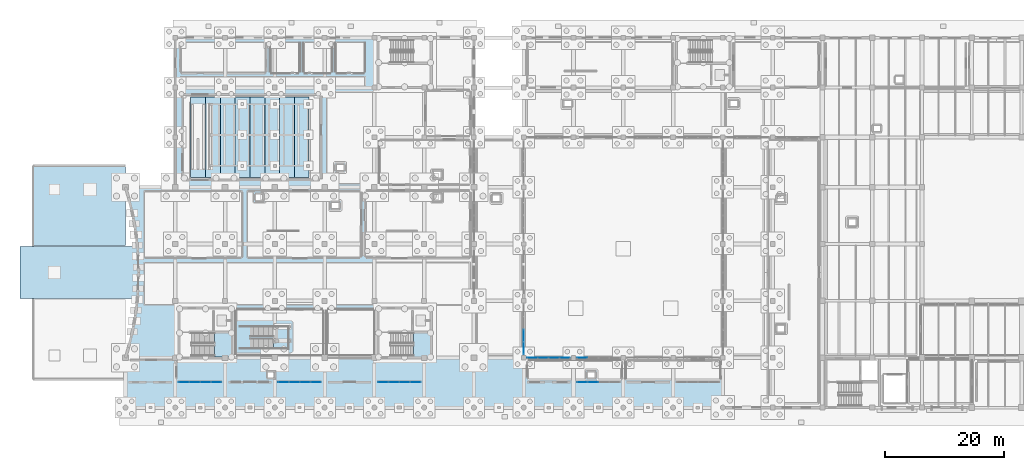
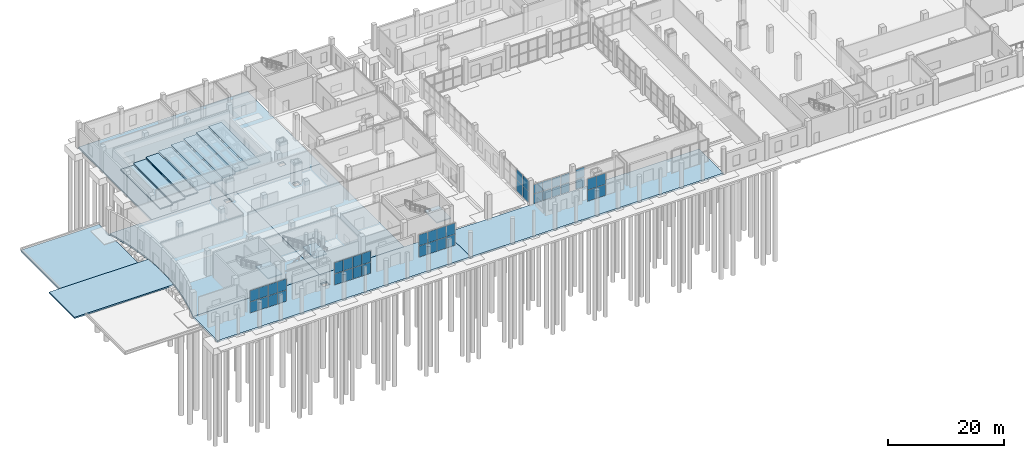
# One storey, part 30 of 65: 42 plates, 18 slabs, 10 elements without a shape of their own.
"""IFC4 building model written with IfcOpenShell, lengths in metres."""

from ifc_helpers import new_model, si_unit, direction, frame, origin, origin_2d, place, context, subcontext, project, spatial, polyline, rectangle, outline, extrude, material, layer, layer_set, type_object, element, aggregate, save


model = new_model("IFC4")

# Units and contexts
model_context = context("Model", 3, precision=1e-05, world=origin(), true_north=direction((0.0, 1.0)))
body_context = subcontext(model_context, "Body", "Model", "MODEL_VIEW")
ifc_project = project(units=[si_unit("LENGTHUNIT", "METRE"), si_unit("AREAUNIT", "SQUARE_METRE"), si_unit("VOLUMEUNIT", "CUBIC_METRE"), si_unit("PLANEANGLEUNIT", "RADIAN"), si_unit("MASSUNIT", "GRAM", prefix="KILO")], contexts=[model_context])

# Site, building, storey
site_placement = place(None, origin())
site = spatial("IfcSite", under=ifc_project, at=site_placement, CompositionType="ELEMENT")
building_placement = place(site_placement, origin())
building = spatial("IfcBuilding", under=site, at=building_placement, Name="Zulmaris Art Gallery", CompositionType="ELEMENT")
storey_placement = place(building_placement, origin())
storey = spatial("IfcBuildingStorey", under=building, at=storey_placement, Name="L00", CompositionType="ELEMENT", Elevation=0.0)

# Curtain wall, plates
ifc_material_1 = material(Name="Cloister & Court Glazed Curtain Wall", Category="aluminium")
ifc_layer_1 = layer(ifc_material_1, 0.179931640625)
ifc_layer_set_1 = layer_set([ifc_layer_1], Name="Cloister & Court Glazed Curtain Wall")
curtain_wall_type = type_object("IfcCurtainWallType", Name="CW-CW03", PredefinedType="NOTDEFINED", material=ifc_layer_set_1)
curtain_wall_1_placement = place(storey_placement, origin())
curtain_wall_1 = element("IfcCurtainWall", 1, at=curtain_wall_1_placement, inside=storey, type_object=curtain_wall_type, Name="L00 curtain wall 52", PredefinedType="NOTDEFINED")
ifc_material_2 = material(Name="Triple Solar-Control Laminated Glass", Category="glass")
ifc_layer_2 = layer(ifc_material_2, 0.035888671875)
ifc_layer_set_2 = layer_set([ifc_layer_2], Name="Triple Solar-Control Laminated Glass")
plate_type = type_object("IfcPlateType", Name="CWPAN-GLZ", PredefinedType="CURTAIN_PANEL", material=ifc_layer_set_2)
plate_1_placement = place(storey_placement, frame((33.873779296875, 17.5, 0.074951171875), z_axis=(0.0, 0.0, 1.0), x_axis=(1.0, 0.0, 0.0)))
plate_1 = element("IfcPlate", 2, at=plate_1_placement, type_object=plate_type, Name="CW03 panel 1.1", PredefinedType="CURTAIN_PANEL", context=body_context, shape_type="SweptSolid", body=[
    extrude(rectangle(XDim=1.717529296875, YDim=0.031982421875, at=origin_2d()), origin(), (0.0, 0.0, 1.0), 2.3125),
])
plate_2_placement = place(storey_placement, frame((33.873779296875, 17.5, 2.46240234375), z_axis=(0.0, 0.0, 1.0), x_axis=(1.0, 0.0, 0.0)))
plate_2 = element("IfcPlate", 3, at=plate_2_placement, type_object=plate_type, Name="CW03 panel 1.2", PredefinedType="CURTAIN_PANEL", context=body_context, shape_type="SweptSolid", body=[
    extrude(rectangle(XDim=1.717529296875, YDim=0.031982421875, at=origin_2d()), origin(), (0.0, 0.0, 1.0), 2.3125),
])
plate_3_placement = place(storey_placement, frame((35.68505859375, 17.5, 0.074951171875), z_axis=(0.0, 0.0, 1.0), x_axis=(1.0, 0.0, 0.0)))
plate_3 = element("IfcPlate", 4, at=plate_3_placement, type_object=plate_type, Name="CW03 panel 2.1", PredefinedType="CURTAIN_PANEL", context=body_context, shape_type="SweptSolid", body=[
    extrude(rectangle(XDim=1.7548828125, YDim=0.031982421875, at=origin_2d()), origin(), (0.0, 0.0, 1.0), 2.3125),
])
plate_4_placement = place(storey_placement, frame((35.68505859375, 17.5, 2.46240234375), z_axis=(0.0, 0.0, 1.0), x_axis=(1.0, 0.0, 0.0)))
plate_4 = element("IfcPlate", 5, at=plate_4_placement, type_object=plate_type, Name="CW03 panel 2.2", PredefinedType="CURTAIN_PANEL", context=body_context, shape_type="SweptSolid", body=[
    extrude(rectangle(XDim=1.7548828125, YDim=0.031982421875, at=origin_2d()), origin(), (0.0, 0.0, 1.0), 2.3125),
])
plate_5_placement = place(storey_placement, frame((37.514892578125, 17.5, 0.074951171875), z_axis=(0.0, 0.0, 1.0), x_axis=(1.0, 0.0, 0.0)))
plate_5 = element("IfcPlate", 6, at=plate_5_placement, type_object=plate_type, Name="CW03 panel 3.1", PredefinedType="CURTAIN_PANEL", context=body_context, shape_type="SweptSolid", body=[
    extrude(rectangle(XDim=1.7548828125, YDim=0.031982421875, at=origin_2d()), origin(), (0.0, 0.0, 1.0), 2.3125),
])
plate_6_placement = place(storey_placement, frame((37.514892578125, 17.5, 2.46240234375), z_axis=(0.0, 0.0, 1.0), x_axis=(1.0, 0.0, 0.0)))
plate_6 = element("IfcPlate", 7, at=plate_6_placement, type_object=plate_type, Name="CW03 panel 3.2", PredefinedType="CURTAIN_PANEL", context=body_context, shape_type="SweptSolid", body=[
    extrude(rectangle(XDim=1.7548828125, YDim=0.031982421875, at=origin_2d()), origin(), (0.0, 0.0, 1.0), 2.3125),
])
plate_7_placement = place(storey_placement, frame((39.326171875, 17.5, 0.074951171875), z_axis=(0.0, 0.0, 1.0), x_axis=(1.0, 0.0, 0.0)))
plate_7 = element("IfcPlate", 8, at=plate_7_placement, type_object=plate_type, Name="CW03 panel 4.1", PredefinedType="CURTAIN_PANEL", context=body_context, shape_type="SweptSolid", body=[
    extrude(rectangle(XDim=1.717529296875, YDim=0.031982421875, at=origin_2d()), origin(), (0.0, 0.0, 1.0), 2.3125),
])
plate_8_placement = place(storey_placement, frame((39.326171875, 17.5, 2.46240234375), z_axis=(0.0, 0.0, 1.0), x_axis=(1.0, 0.0, 0.0)))
plate_8 = element("IfcPlate", 9, at=plate_8_placement, type_object=plate_type, Name="CW03 panel 4.2", PredefinedType="CURTAIN_PANEL", context=body_context, shape_type="SweptSolid", body=[
    extrude(rectangle(XDim=1.717529296875, YDim=0.031982421875, at=origin_2d()), origin(), (0.0, 0.0, 1.0), 2.3125),
])
aggregate(curtain_wall_1, [plate_1, plate_2, plate_3, plate_4, plate_5, plate_6, plate_7, plate_8])

curtain_wall_2_placement = place(storey_placement, origin())
curtain_wall_2 = element("IfcCurtainWall", 10, at=curtain_wall_2_placement, inside=storey, type_object=curtain_wall_type, Name="L00 curtain wall 53", PredefinedType="NOTDEFINED")
plate_9_placement = place(storey_placement, frame((50.673828125, 17.5, 0.074951171875), z_axis=(0.0, 0.0, 1.0), x_axis=(1.0, 0.0, 0.0)))
plate_9 = element("IfcPlate", 11, at=plate_9_placement, type_object=plate_type, Name="CW03 panel 1.1", PredefinedType="CURTAIN_PANEL", context=body_context, shape_type="SweptSolid", body=[
    extrude(rectangle(XDim=1.717529296875, YDim=0.031982421875, at=origin_2d()), origin(), (0.0, 0.0, 1.0), 2.3125),
])
plate_10_placement = place(storey_placement, frame((50.673828125, 17.5, 2.46240234375), z_axis=(0.0, 0.0, 1.0), x_axis=(1.0, 0.0, 0.0)))
plate_10 = element("IfcPlate", 12, at=plate_10_placement, type_object=plate_type, Name="CW03 panel 1.2", PredefinedType="CURTAIN_PANEL", context=body_context, shape_type="SweptSolid", body=[
    extrude(rectangle(XDim=1.717529296875, YDim=0.031982421875, at=origin_2d()), origin(), (0.0, 0.0, 1.0), 2.3125),
])
plate_11_placement = place(storey_placement, frame((52.485107421875, 17.5, 0.074951171875), z_axis=(0.0, 0.0, 1.0), x_axis=(1.0, 0.0, 0.0)))
plate_11 = element("IfcPlate", 13, at=plate_11_placement, type_object=plate_type, Name="CW03 panel 2.1", PredefinedType="CURTAIN_PANEL", context=body_context, shape_type="SweptSolid", body=[
    extrude(rectangle(XDim=1.7548828125, YDim=0.031982421875, at=origin_2d()), origin(), (0.0, 0.0, 1.0), 2.3125),
])
plate_12_placement = place(storey_placement, frame((52.485107421875, 17.5, 2.46240234375), z_axis=(0.0, 0.0, 1.0), x_axis=(1.0, 0.0, 0.0)))
plate_12 = element("IfcPlate", 14, at=plate_12_placement, type_object=plate_type, Name="CW03 panel 2.2", PredefinedType="CURTAIN_PANEL", context=body_context, shape_type="SweptSolid", body=[
    extrude(rectangle(XDim=1.7548828125, YDim=0.031982421875, at=origin_2d()), origin(), (0.0, 0.0, 1.0), 2.3125),
])
plate_13_placement = place(storey_placement, frame((54.31494140625, 17.5, 0.074951171875), z_axis=(0.0, 0.0, 1.0), x_axis=(1.0, 0.0, 0.0)))
plate_13 = element("IfcPlate", 15, at=plate_13_placement, type_object=plate_type, Name="CW03 panel 3.1", PredefinedType="CURTAIN_PANEL", context=body_context, shape_type="SweptSolid", body=[
    extrude(rectangle(XDim=1.7548828125, YDim=0.031982421875, at=origin_2d()), origin(), (0.0, 0.0, 1.0), 2.3125),
])
plate_14_placement = place(storey_placement, frame((54.31494140625, 17.5, 2.46240234375), z_axis=(0.0, 0.0, 1.0), x_axis=(1.0, 0.0, 0.0)))
plate_14 = element("IfcPlate", 16, at=plate_14_placement, type_object=plate_type, Name="CW03 panel 3.2", PredefinedType="CURTAIN_PANEL", context=body_context, shape_type="SweptSolid", body=[
    extrude(rectangle(XDim=1.7548828125, YDim=0.031982421875, at=origin_2d()), origin(), (0.0, 0.0, 1.0), 2.3125),
])
plate_15_placement = place(storey_placement, frame((56.126220703125, 17.5, 0.074951171875), z_axis=(0.0, 0.0, 1.0), x_axis=(1.0, 0.0, 0.0)))
plate_15 = element("IfcPlate", 17, at=plate_15_placement, type_object=plate_type, Name="CW03 panel 4.1", PredefinedType="CURTAIN_PANEL", context=body_context, shape_type="SweptSolid", body=[
    extrude(rectangle(XDim=1.717529296875, YDim=0.031982421875, at=origin_2d()), origin(), (0.0, 0.0, 1.0), 2.3125),
])
plate_16_placement = place(storey_placement, frame((56.126220703125, 17.5, 2.46240234375), z_axis=(0.0, 0.0, 1.0), x_axis=(1.0, 0.0, 0.0)))
plate_16 = element("IfcPlate", 18, at=plate_16_placement, type_object=plate_type, Name="CW03 panel 4.2", PredefinedType="CURTAIN_PANEL", context=body_context, shape_type="SweptSolid", body=[
    extrude(rectangle(XDim=1.717529296875, YDim=0.031982421875, at=origin_2d()), origin(), (0.0, 0.0, 1.0), 2.3125),
])
aggregate(curtain_wall_2, [plate_9, plate_10, plate_11, plate_12, plate_13, plate_14, plate_15, plate_16])

curtain_wall_3_placement = place(storey_placement, origin())
curtain_wall_3 = element("IfcCurtainWall", 19, at=curtain_wall_3_placement, inside=storey, type_object=curtain_wall_type, Name="L00 curtain wall 54", PredefinedType="NOTDEFINED")
plate_17_placement = place(storey_placement, frame((67.4736328125, 17.5, 0.074951171875), z_axis=(0.0, 0.0, 1.0), x_axis=(1.0, 0.0, 0.0)))
plate_17 = element("IfcPlate", 20, at=plate_17_placement, type_object=plate_type, Name="CW03 panel 1.1", PredefinedType="CURTAIN_PANEL", context=body_context, shape_type="SweptSolid", body=[
    extrude(rectangle(XDim=1.717529296875, YDim=0.031982421875, at=origin_2d()), origin(), (0.0, 0.0, 1.0), 2.3125),
])
plate_18_placement = place(storey_placement, frame((67.4736328125, 17.5, 2.46240234375), z_axis=(0.0, 0.0, 1.0), x_axis=(1.0, 0.0, 0.0)))
plate_18 = element("IfcPlate", 21, at=plate_18_placement, type_object=plate_type, Name="CW03 panel 1.2", PredefinedType="CURTAIN_PANEL", context=body_context, shape_type="SweptSolid", body=[
    extrude(rectangle(XDim=1.717529296875, YDim=0.031982421875, at=origin_2d()), origin(), (0.0, 0.0, 1.0), 2.3125),
])
plate_19_placement = place(storey_placement, frame((69.284912109375, 17.5, 0.074951171875), z_axis=(0.0, 0.0, 1.0), x_axis=(1.0, 0.0, 0.0)))
plate_19 = element("IfcPlate", 22, at=plate_19_placement, type_object=plate_type, Name="CW03 panel 2.1", PredefinedType="CURTAIN_PANEL", context=body_context, shape_type="SweptSolid", body=[
    extrude(rectangle(XDim=1.7548828125, YDim=0.031982421875, at=origin_2d()), origin(), (0.0, 0.0, 1.0), 2.3125),
])
plate_20_placement = place(storey_placement, frame((69.284912109375, 17.5, 2.46240234375), z_axis=(0.0, 0.0, 1.0), x_axis=(1.0, 0.0, 0.0)))
plate_20 = element("IfcPlate", 23, at=plate_20_placement, type_object=plate_type, Name="CW03 panel 2.2", PredefinedType="CURTAIN_PANEL", context=body_context, shape_type="SweptSolid", body=[
    extrude(rectangle(XDim=1.7548828125, YDim=0.031982421875, at=origin_2d()), origin(), (0.0, 0.0, 1.0), 2.3125),
])
plate_21_placement = place(storey_placement, frame((71.114990234375, 17.5, 0.074951171875), z_axis=(0.0, 0.0, 1.0), x_axis=(1.0, 0.0, 0.0)))
plate_21 = element("IfcPlate", 24, at=plate_21_placement, type_object=plate_type, Name="CW03 panel 3.1", PredefinedType="CURTAIN_PANEL", context=body_context, shape_type="SweptSolid", body=[
    extrude(rectangle(XDim=1.7548828125, YDim=0.031982421875, at=origin_2d()), origin(), (0.0, 0.0, 1.0), 2.3125),
])
plate_22_placement = place(storey_placement, frame((71.114990234375, 17.5, 2.46240234375), z_axis=(0.0, 0.0, 1.0), x_axis=(1.0, 0.0, 0.0)))
plate_22 = element("IfcPlate", 25, at=plate_22_placement, type_object=plate_type, Name="CW03 panel 3.2", PredefinedType="CURTAIN_PANEL", context=body_context, shape_type="SweptSolid", body=[
    extrude(rectangle(XDim=1.7548828125, YDim=0.031982421875, at=origin_2d()), origin(), (0.0, 0.0, 1.0), 2.3125),
])
plate_23_placement = place(storey_placement, frame((72.92626953125, 17.5, 0.074951171875), z_axis=(0.0, 0.0, 1.0), x_axis=(1.0, 0.0, 0.0)))
plate_23 = element("IfcPlate", 26, at=plate_23_placement, type_object=plate_type, Name="CW03 panel 4.1", PredefinedType="CURTAIN_PANEL", context=body_context, shape_type="SweptSolid", body=[
    extrude(rectangle(XDim=1.717529296875, YDim=0.031982421875, at=origin_2d()), origin(), (0.0, 0.0, 1.0), 2.3125),
])
plate_24_placement = place(storey_placement, frame((72.92626953125, 17.5, 2.46240234375), z_axis=(0.0, 0.0, 1.0), x_axis=(1.0, 0.0, 0.0)))
plate_24 = element("IfcPlate", 27, at=plate_24_placement, type_object=plate_type, Name="CW03 panel 4.2", PredefinedType="CURTAIN_PANEL", context=body_context, shape_type="SweptSolid", body=[
    extrude(rectangle(XDim=1.717529296875, YDim=0.031982421875, at=origin_2d()), origin(), (0.0, 0.0, 1.0), 2.3125),
])
aggregate(curtain_wall_3, [plate_17, plate_18, plate_19, plate_20, plate_21, plate_22, plate_23, plate_24])

curtain_wall_4_placement = place(storey_placement, origin())
curtain_wall_4 = element("IfcCurtainWall", 28, at=curtain_wall_4_placement, inside=storey, type_object=curtain_wall_type, Name="L00 curtain wall 55", PredefinedType="NOTDEFINED")
plate_25_placement = place(storey_placement, frame((101.07373046875, 17.5, 0.074951171875), z_axis=(0.0, 0.0, 1.0), x_axis=(1.0, 0.0, 0.0)))
plate_25 = element("IfcPlate", 29, at=plate_25_placement, type_object=plate_type, Name="CW03 panel 1.1", PredefinedType="CURTAIN_PANEL", context=body_context, shape_type="SweptSolid", body=[
    extrude(rectangle(XDim=1.717529296875, YDim=0.031982421875, at=origin_2d()), origin(), (0.0, 0.0, 1.0), 2.3125),
])
plate_26_placement = place(storey_placement, frame((101.07373046875, 17.5, 2.46240234375), z_axis=(0.0, 0.0, 1.0), x_axis=(1.0, 0.0, 0.0)))
plate_26 = element("IfcPlate", 30, at=plate_26_placement, type_object=plate_type, Name="CW03 panel 1.2", PredefinedType="CURTAIN_PANEL", context=body_context, shape_type="SweptSolid", body=[
    extrude(rectangle(XDim=1.717529296875, YDim=0.031982421875, at=origin_2d()), origin(), (0.0, 0.0, 1.0), 2.3125),
])
plate_27_placement = place(storey_placement, frame((102.885009765625, 17.5, 0.074951171875), z_axis=(0.0, 0.0, 1.0), x_axis=(1.0, 0.0, 0.0)))
plate_27 = element("IfcPlate", 31, at=plate_27_placement, type_object=plate_type, Name="CW03 panel 2.1", PredefinedType="CURTAIN_PANEL", context=body_context, shape_type="SweptSolid", body=[
    extrude(rectangle(XDim=1.7548828125, YDim=0.031982421875, at=origin_2d()), origin(), (0.0, 0.0, 1.0), 2.3125),
])
plate_28_placement = place(storey_placement, frame((102.885009765625, 17.5, 2.46240234375), z_axis=(0.0, 0.0, 1.0), x_axis=(1.0, 0.0, 0.0)))
plate_28 = element("IfcPlate", 32, at=plate_28_placement, type_object=plate_type, Name="CW03 panel 2.2", PredefinedType="CURTAIN_PANEL", context=body_context, shape_type="SweptSolid", body=[
    extrude(rectangle(XDim=1.7548828125, YDim=0.031982421875, at=origin_2d()), origin(), (0.0, 0.0, 1.0), 2.3125),
])
aggregate(curtain_wall_4, [plate_25, plate_26, plate_27, plate_28])

curtain_wall_5_placement = place(storey_placement, origin())
curtain_wall_5 = element("IfcCurtainWall", 33, at=curtain_wall_5_placement, inside=storey, type_object=curtain_wall_type, Name="L00 curtain wall 66", PredefinedType="NOTDEFINED")
plate_29_placement = place(storey_placement, frame((91.199951171875, 25.3349609375, 0.0751953125), z_axis=(0.0, 0.0, 1.0), x_axis=(0.0, -1.0, 0.0)))
plate_29 = element("IfcPlate", 34, at=plate_29_placement, type_object=plate_type, Name="CW03 panel 3.1", PredefinedType="CURTAIN_PANEL", context=body_context, shape_type="SweptSolid", body=[
    extrude(rectangle(XDim=2.054931640625, YDim=0.031982421875, at=origin_2d()), origin(), (0.0, 0.0, 1.0), 2.242431640625),
])
plate_30_placement = place(storey_placement, frame((91.199951171875, 25.3349609375, 2.392578125), z_axis=(0.0, 0.0, 1.0), x_axis=(0.0, -1.0, 0.0)))
plate_30 = element("IfcPlate", 35, at=plate_30_placement, type_object=plate_type, Name="CW03 panel 3.2", PredefinedType="CURTAIN_PANEL", context=body_context, shape_type="SweptSolid", body=[
    extrude(rectangle(XDim=2.054931640625, YDim=0.031982421875, at=origin_2d()), origin(), (0.0, 0.0, 1.0), 2.242431640625),
])
plate_31_placement = place(storey_placement, frame((91.199951171875, 23.2236328125, 0.0751953125), z_axis=(0.0, 0.0, 1.0), x_axis=(0.0, -1.0, 0.0)))
plate_31 = element("IfcPlate", 36, at=plate_31_placement, type_object=plate_type, Name="CW03 panel 4.1", PredefinedType="CURTAIN_PANEL", context=body_context, shape_type="SweptSolid", body=[
    extrude(rectangle(XDim=2.017578125, YDim=0.031982421875, at=origin_2d()), origin(), (0.0, 0.0, 1.0), 2.242431640625),
])
plate_32_placement = place(storey_placement, frame((91.199951171875, 23.2236328125, 2.392578125), z_axis=(0.0, 0.0, 1.0), x_axis=(0.0, -1.0, 0.0)))
plate_32 = element("IfcPlate", 37, at=plate_32_placement, type_object=plate_type, Name="CW03 panel 4.2", PredefinedType="CURTAIN_PANEL", context=body_context, shape_type="SweptSolid", body=[
    extrude(rectangle(XDim=2.017578125, YDim=0.031982421875, at=origin_2d()), origin(), (0.0, 0.0, 1.0), 2.242431640625),
])
aggregate(curtain_wall_5, [plate_29, plate_30, plate_31, plate_32])

curtain_wall_6_placement = place(storey_placement, origin())
curtain_wall_6 = element("IfcCurtainWall", 38, at=curtain_wall_6_placement, inside=storey, type_object=curtain_wall_type, Name="L00 curtain wall 185", PredefinedType="NOTDEFINED")
plate_33_placement = place(storey_placement, frame((92.673828125, 21.60009765625, 0.074951171875), z_axis=(0.0, 0.0, 1.0), x_axis=(1.0, 0.0, 0.0)))
plate_33 = element("IfcPlate", 39, at=plate_33_placement, type_object=plate_type, Name="CW03 panel 1.1", PredefinedType="CURTAIN_PANEL", context=body_context, shape_type="SweptSolid", body=[
    extrude(rectangle(XDim=1.717529296875, YDim=0.031982421875, at=origin_2d()), origin(), (0.0, 0.0, 1.0), 1.9326171875),
])
plate_34_placement = place(storey_placement, frame((92.673828125, 21.60009765625, 2.08251953125), z_axis=(0.0, 0.0, 1.0), x_axis=(1.0, 0.0, 0.0)))
plate_34 = element("IfcPlate", 40, at=plate_34_placement, type_object=plate_type, Name="CW03 panel 1.2", PredefinedType="CURTAIN_PANEL", context=body_context, shape_type="SweptSolid", body=[
    extrude(rectangle(XDim=1.717529296875, YDim=0.031982421875, at=origin_2d()), origin(), (0.0, 0.0, 1.0), 1.9326171875),
])
plate_35_placement = place(storey_placement, frame((94.485107421875, 21.60009765625, 0.074951171875), z_axis=(0.0, 0.0, 1.0), x_axis=(1.0, 0.0, 0.0)))
plate_35 = element("IfcPlate", 41, at=plate_35_placement, type_object=plate_type, Name="CW03 panel 2.1", PredefinedType="CURTAIN_PANEL", context=body_context, shape_type="SweptSolid", body=[
    extrude(rectangle(XDim=1.7548828125, YDim=0.031982421875, at=origin_2d()), origin(), (0.0, 0.0, 1.0), 1.9326171875),
])
plate_36_placement = place(storey_placement, frame((94.485107421875, 21.60009765625, 2.08251953125), z_axis=(0.0, 0.0, 1.0), x_axis=(1.0, 0.0, 0.0)))
plate_36 = element("IfcPlate", 42, at=plate_36_placement, type_object=plate_type, Name="CW03 panel 2.2", PredefinedType="CURTAIN_PANEL", context=body_context, shape_type="SweptSolid", body=[
    extrude(rectangle(XDim=1.7548828125, YDim=0.031982421875, at=origin_2d()), origin(), (0.0, 0.0, 1.0), 1.9326171875),
])
plate_37_placement = place(storey_placement, frame((96.31494140625, 21.60009765625, 0.074951171875), z_axis=(0.0, 0.0, 1.0), x_axis=(1.0, 0.0, 0.0)))
plate_37 = element("IfcPlate", 43, at=plate_37_placement, type_object=plate_type, Name="CW03 panel 3.1", PredefinedType="CURTAIN_PANEL", context=body_context, shape_type="SweptSolid", body=[
    extrude(rectangle(XDim=1.7548828125, YDim=0.031982421875, at=origin_2d()), origin(), (0.0, 0.0, 1.0), 1.9326171875),
])
plate_38_placement = place(storey_placement, frame((96.31494140625, 21.60009765625, 2.08251953125), z_axis=(0.0, 0.0, 1.0), x_axis=(1.0, 0.0, 0.0)))
plate_38 = element("IfcPlate", 44, at=plate_38_placement, type_object=plate_type, Name="CW03 panel 3.2", PredefinedType="CURTAIN_PANEL", context=body_context, shape_type="SweptSolid", body=[
    extrude(rectangle(XDim=1.7548828125, YDim=0.031982421875, at=origin_2d()), origin(), (0.0, 0.0, 1.0), 1.9326171875),
])
plate_39_placement = place(storey_placement, frame((98.126220703125, 21.60009765625, 0.074951171875), z_axis=(0.0, 0.0, 1.0), x_axis=(1.0, 0.0, 0.0)))
plate_39 = element("IfcPlate", 45, at=plate_39_placement, type_object=plate_type, Name="CW03 panel 4.1", PredefinedType="CURTAIN_PANEL", context=body_context, shape_type="SweptSolid", body=[
    extrude(rectangle(XDim=1.717529296875, YDim=0.031982421875, at=origin_2d()), origin(), (0.0, 0.0, 1.0), 1.9326171875),
])
plate_40_placement = place(storey_placement, frame((98.126220703125, 21.60009765625, 2.08251953125), z_axis=(0.0, 0.0, 1.0), x_axis=(1.0, 0.0, 0.0)))
plate_40 = element("IfcPlate", 46, at=plate_40_placement, type_object=plate_type, Name="CW03 panel 4.2", PredefinedType="CURTAIN_PANEL", context=body_context, shape_type="SweptSolid", body=[
    extrude(rectangle(XDim=1.717529296875, YDim=0.031982421875, at=origin_2d()), origin(), (0.0, 0.0, 1.0), 1.9326171875),
])
aggregate(curtain_wall_6, [plate_33, plate_34, plate_35, plate_36, plate_37, plate_38, plate_39, plate_40])

curtain_wall_7_placement = place(storey_placement, origin())
curtain_wall_7 = element("IfcCurtainWall", 47, at=curtain_wall_7_placement, inside=storey, type_object=curtain_wall_type, Name="L00 curtain wall 186", PredefinedType="NOTDEFINED")
plate_41_placement = place(storey_placement, frame((101.07373046875, 21.60009765625, 0.0751953125), z_axis=(0.0, 0.0, 1.0), x_axis=(1.0, 0.0, 0.0)))
plate_41 = element("IfcPlate", 48, at=plate_41_placement, type_object=plate_type, Name="CW03 panel 1.1", PredefinedType="CURTAIN_PANEL", context=body_context, shape_type="SweptSolid", body=[
    extrude(rectangle(XDim=1.717529296875, YDim=0.031982421875, at=origin_2d()), origin(), (0.0, 0.0, 1.0), 2.032470703125),
])
plate_42_placement = place(storey_placement, frame((101.07373046875, 21.60009765625, 2.1826171875), z_axis=(0.0, 0.0, 1.0), x_axis=(1.0, 0.0, 0.0)))
plate_42 = element("IfcPlate", 49, at=plate_42_placement, type_object=plate_type, Name="CW03 panel 1.2", PredefinedType="CURTAIN_PANEL", context=body_context, shape_type="SweptSolid", body=[
    extrude(rectangle(XDim=1.717529296875, YDim=0.031982421875, at=origin_2d()), origin(), (0.0, 0.0, 1.0), 2.032470703125),
])
aggregate(curtain_wall_7, [plate_41, plate_42])

# Slabs
ifc_material_3 = material(Name="Concrete C40/50", Category="concrete")
ifc_layer_3 = layer(ifc_material_3, 0.360107421875)
ifc_layer_set_3 = layer_set([ifc_layer_3], Name="Concrete C40/50")
slab_type_1 = type_object("IfcSlabType", Name="SLAB-SL-BS02", PredefinedType="BASESLAB", material=ifc_layer_set_3)
slab_1_placement = place(storey_placement, frame((0.0, 0.0, -0.360107421875)))
element("IfcSlab", 50, at=slab_1_placement, inside=storey, type_object=slab_type_1, Name="L00 V1-W slab", PredefinedType="BASESLAB", context=body_context, shape_type="SweptSolid", body=[
    extrude(outline(polyline([(24.51513671875, 23.35400390625), (24.963134765625, 25.126220703125), (25.34326171875, 26.914306640625), (25.655029296875, 28.715576171875), (25.89794921875, 30.527587890625), (26.07177734375, 32.34716796875), (26.176025390625, 34.17236328125), (26.2109375, 36.0), (26.176025390625, 37.82763671875), (26.07177734375, 39.65283203125), (25.89794921875, 41.472412109375), (25.655029296875, 43.284423828125), (25.34326171875, 45.085693359375), (24.963134765625, 46.873779296875), (24.51513671875, 48.64599609375), (24.0, 50.39990234375), (49.199951171875, 50.39990234375), (49.199951171875, 21.60009765625), (24.0, 21.60009765625), (24.51513671875, 23.35400390625)]), holes=[polyline([(47.199951171875, 49.199951171875), (46.0, 49.199951171875), (46.0, 48.199951171875), (47.199951171875, 48.199951171875), (47.199951171875, 49.199951171875)])]), origin(), (0.0, 0.0, 1.0), 0.360107421875),
])
slab_2_placement = place(storey_placement, frame((0.0, 0.0, -0.360107421875)))
element("IfcSlab", 51, at=slab_2_placement, inside=storey, type_object=slab_type_1, Name="L00 V1-M slab", PredefinedType="BASESLAB", context=body_context, shape_type="SweptSolid", body=[
    extrude(outline(polyline([(49.199951171875, 21.60009765625), (49.199951171875, 50.39990234375), (66.0, 50.39990234375), (66.0, 21.60009765625), (49.199951171875, 21.60009765625)]), holes=[polyline([(60.0, 47.800048828125), (58.800048828125, 47.800048828125), (58.800048828125, 46.800048828125), (60.0, 46.800048828125), (60.0, 47.800048828125)])]), origin(), (0.0, 0.0, 1.0), 0.360107421875),
])
slab_3_placement = place(storey_placement, frame((0.0, 0.0, -0.360107421875)))
element("IfcSlab", 52, at=slab_3_placement, inside=storey, type_object=slab_type_1, Name="L00 V2-W slab", PredefinedType="BASESLAB", context=body_context, shape_type="SweptSolid", body=[
    extrude(outline(polyline([(24.0, 13.199951171875), (24.0, 21.60009765625), (74.39990234375, 21.60009765625), (74.39990234375, 13.199951171875), (24.0, 13.199951171875)]), holes=[polyline([(49.199951171875, 19.199951171875), (48.0, 19.199951171875), (48.0, 18.199951171875), (49.199951171875, 18.199951171875), (49.199951171875, 19.199951171875)])]), origin(), (0.0, 0.0, 1.0), 0.360107421875),
])
slab_4_placement = place(storey_placement, frame((0.0, 0.0, -0.360107421875)))
element("IfcSlab", 53, at=slab_4_placement, inside=storey, type_object=slab_type_1, Name="L00 V2-E slab", PredefinedType="BASESLAB", context=body_context, shape_type="SweptSolid", body=[
    extrude(outline(polyline([(74.39990234375, 13.199951171875), (74.39990234375, 21.60009765625), (124.800048828125, 21.60009765625), (124.800048828125, 13.199951171875), (74.39990234375, 13.199951171875)]), holes=[polyline([(103.199951171875, 18.199951171875), (103.199951171875, 19.199951171875), (102.0, 19.199951171875), (102.0, 18.199951171875), (103.199951171875, 18.199951171875)])]), origin(), (0.0, 0.0, 1.0), 0.360107421875),
])
slab_5_placement = place(storey_placement, frame((0.0, 0.0, -0.360107421875)))
element("IfcSlab", 54, at=slab_5_placement, inside=storey, type_object=slab_type_1, Name="L00 V3-AUD slab", PredefinedType="BASESLAB", context=body_context, shape_type="SweptSolid", body=[
    extrude(outline(polyline([(32.39990234375, 50.39990234375), (32.39990234375, 75.60009765625), (66.0, 75.60009765625), (66.0, 50.39990234375), (32.39990234375, 50.39990234375)]), holes=[polyline([(60.800048828125, 54.199951171875), (59.60009765625, 54.199951171875), (59.60009765625, 53.199951171875), (60.800048828125, 53.199951171875), (60.800048828125, 54.199951171875)])]), origin(), (0.0, 0.0, 1.0), 0.360107421875),
])
ifc_layer_4 = layer(ifc_material_3, 0.300048828125)
ifc_layer_set_4 = layer_set([ifc_layer_4], Name="Concrete C40/50")
slab_type_2 = type_object("IfcSlabType", Name="SLAB-SL-CAN01", PredefinedType="FLOOR", material=ifc_layer_set_4)
slab_6_placement = place(storey_placement, frame((0.0, 0.0, -0.300048828125)))
element("IfcSlab", 55, at=slab_6_placement, inside=storey, type_object=slab_type_2, Name="L00 Forecourt Step-Free Entrance Causeway", PredefinedType="FLOOR", context=body_context, shape_type="SweptSolid", body=[
    extrude(outline(polyline([(6.199951171875, 31.60009765625), (6.199951171875, 40.39990234375), (25.919921875, 40.39990234375), (25.991943359375, 39.646728515625), (26.09619140625, 37.82470703125), (26.130859375, 36.0), (26.09619140625, 34.17529296875), (25.991943359375, 32.353271484375), (25.919921875, 31.60009765625), (6.199951171875, 31.60009765625)])), origin(), (0.0, 0.0, 1.0), 0.300048828125),
])
ifc_layer_5 = layer(ifc_material_3, 0.2900390625)
ifc_layer_set_5 = layer_set([ifc_layer_5], Name="Concrete C40/50")
slab_type_3 = type_object("IfcSlabType", Name="SLAB-SL-POOL", PredefinedType="BASESLAB", material=ifc_layer_set_5)
slab_7_placement = place(storey_placement, frame((0.0, 0.0, -0.5)))
element("IfcSlab", 56, at=slab_7_placement, inside=storey, type_object=slab_type_3, Name="L00 Forecourt Shallow Reflecting Pool Basin N", PredefinedType="BASESLAB", context=body_context, shape_type="SweptSolid", body=[
    extrude(outline(polyline([(24.0, 40.550048828125), (8.39990234375, 40.550048828125), (8.39990234375, 54.0), (24.0, 54.0), (24.0, 50.52001953125), (23.98828125, 50.519287109375), (23.976806640625, 50.517578125), (23.96533203125, 50.514892578125), (23.954345703125, 50.510986328125), (23.943603515625, 50.506103515625), (23.93359375, 50.5), (23.92431640625, 50.492919921875), (23.91552734375, 50.485107421875), (23.90771484375, 50.4765625), (23.900390625, 50.467041015625), (23.89453125, 50.45703125), (23.889404296875, 50.446533203125), (23.885498046875, 50.435546875), (23.882568359375, 50.42431640625), (23.880615234375, 50.41259765625), (23.8798828125, 50.40087890625), (23.880615234375, 50.38916015625), (23.882080078125, 50.377685546875), (23.885009765625, 50.3662109375), (24.0, 49.97412109375), (24.0, 40.550048828125)])), origin(), (0.0, 0.0, 1.0), 0.2900390625),
])
ifc_material_4 = material(Name="Precast concrete C40/50", Category="concrete")
ifc_layer_6 = layer(ifc_material_4, 0.179931640625)
ifc_layer_set_6 = layer_set([ifc_layer_6], Name="Precast concrete C40/50")
slab_type_4 = type_object("IfcSlabType", Name="SLAB-SL-TIER", PredefinedType="USERDEFINED", material=ifc_layer_set_6)
slab_8_placement = place(storey_placement, frame((0.0, 0.0, 0.27001953125)))
element("IfcSlab", 57, at=slab_8_placement, inside=storey, type_object=slab_type_4, Name="Auditorium seating tier 1", ObjectType="SEATING_TIER", PredefinedType="USERDEFINED", context=body_context, shape_type="SweptSolid", body=[
    extrude(outline(polyline([(35.0, 52.0), (37.5, 52.0), (37.5, 65.60009765625), (35.0, 65.60009765625), (35.0, 52.0)])), origin(), (0.0, 0.0, 1.0), 0.179931640625),
])
slab_9_placement = place(storey_placement, frame((0.0, 0.0, 0.68994140625)))
element("IfcSlab", 58, at=slab_9_placement, inside=storey, type_object=slab_type_4, Name="Auditorium seating tier 2", ObjectType="SEATING_TIER", PredefinedType="USERDEFINED", context=body_context, shape_type="SweptSolid", body=[
    extrude(outline(polyline([(37.5, 52.0), (40.0, 52.0), (40.0, 65.60009765625), (37.5, 65.60009765625), (37.5, 52.0)])), origin(), (0.0, 0.0, 1.0), 0.18017578125),
])
slab_10_placement = place(storey_placement, frame((0.0, 0.0, 1.110107421875)))
element("IfcSlab", 59, at=slab_10_placement, inside=storey, type_object=slab_type_4, Name="Auditorium seating tier 3", ObjectType="SEATING_TIER", PredefinedType="USERDEFINED", context=body_context, shape_type="SweptSolid", body=[
    extrude(outline(polyline([(40.0, 52.0), (42.5, 52.0), (42.5, 65.60009765625), (40.0, 65.60009765625), (40.0, 52.0)])), origin(), (0.0, 0.0, 1.0), 0.179931640625),
])
slab_11_placement = place(storey_placement, frame((0.0, 0.0, 1.530029296875)))
element("IfcSlab", 60, at=slab_11_placement, inside=storey, type_object=slab_type_4, Name="Auditorium seating tier 4", ObjectType="SEATING_TIER", PredefinedType="USERDEFINED", context=body_context, shape_type="SweptSolid", body=[
    extrude(outline(polyline([(42.5, 52.0), (45.0, 52.0), (45.0, 65.60009765625), (42.5, 65.60009765625), (42.5, 52.0)])), origin(), (0.0, 0.0, 1.0), 0.179931640625),
])
slab_12_placement = place(storey_placement, frame((0.0, 0.0, 1.949951171875)))
element("IfcSlab", 61, at=slab_12_placement, inside=storey, type_object=slab_type_4, Name="Auditorium seating tier 5", ObjectType="SEATING_TIER", PredefinedType="USERDEFINED", context=body_context, shape_type="SweptSolid", body=[
    extrude(outline(polyline([(45.0, 52.0), (47.5, 52.0), (47.5, 65.60009765625), (45.0, 65.60009765625), (45.0, 52.0)])), origin(), (0.0, 0.0, 1.0), 0.179931640625),
])
slab_13_placement = place(storey_placement, frame((0.0, 0.0, 2.3701171875)))
element("IfcSlab", 62, at=slab_13_placement, inside=storey, type_object=slab_type_4, Name="Auditorium seating tier 6", ObjectType="SEATING_TIER", PredefinedType="USERDEFINED", context=body_context, shape_type="SweptSolid", body=[
    extrude(outline(polyline([(47.5, 52.0), (50.0, 52.0), (50.0, 65.60009765625), (47.5, 65.60009765625), (47.5, 52.0)])), origin(), (0.0, 0.0, 1.0), 0.179931640625),
])
slab_14_placement = place(storey_placement, frame((0.0, 0.0, 2.7900390625)))
element("IfcSlab", 63, at=slab_14_placement, inside=storey, type_object=slab_type_4, Name="Auditorium seating tier 7", ObjectType="SEATING_TIER", PredefinedType="USERDEFINED", context=body_context, shape_type="SweptSolid", body=[
    extrude(outline(polyline([(50.0, 52.0), (52.5, 52.0), (52.5, 65.60009765625), (50.0, 65.60009765625), (50.0, 52.0)])), origin(), (0.0, 0.0, 1.0), 0.179931640625),
])
slab_15_placement = place(storey_placement, frame((0.0, 0.0, 3.2099609375)))
element("IfcSlab", 64, at=slab_15_placement, inside=storey, type_object=slab_type_4, Name="Auditorium seating tier 8", ObjectType="SEATING_TIER", PredefinedType="USERDEFINED", context=body_context, shape_type="SweptSolid", body=[
    extrude(outline(polyline([(52.5, 52.0), (55.0, 52.0), (55.0, 65.60009765625), (52.5, 65.60009765625), (52.5, 52.0)])), origin(), (0.0, 0.0, 1.0), 0.179931640625),
])

# Stair, slab
stair_type_1 = type_object("IfcStairType", Name="STAIR-CORE", PredefinedType="HALF_TURN_STAIR", material=ifc_material_3)
stair_1_placement = place(storey_placement, origin())
stair_1 = element("IfcStair", 65, at=stair_1_placement, inside=storey, type_object=stair_type_1, Name="L00 Exit Stair ST1", PredefinedType="HALF_TURN_STAIR")
ifc_layer_7 = layer(ifc_material_3, 0.2099609375)
ifc_layer_set_7 = layer_set([ifc_layer_7], Name="Concrete C40/50")
slab_type_5 = type_object("IfcSlabType", Name="SLAB-STLND", PredefinedType="LANDING", material=ifc_layer_set_7)
slab_16_placement = place(storey_placement, frame((0.0, 0.0, 2.5)))
slab_16 = element("IfcSlab", 66, at=slab_16_placement, type_object=slab_type_5, Name="ST1 landing 1", PredefinedType="LANDING", context=body_context, shape_type="SweptSolid", body=[
    extrude(outline(polyline([(39.02001953125, 21.72998046875), (41.85009765625, 21.72998046875), (41.85009765625, 26.010009765625), (39.02001953125, 26.010009765625), (39.02001953125, 21.72998046875)])), origin(), (0.0, 0.0, 1.0), 0.199951171875),
])
aggregate(stair_1, [slab_16])

stair_2_placement = place(storey_placement, origin())
stair_2 = element("IfcStair", 67, at=stair_2_placement, inside=storey, type_object=stair_type_1, Name="L00 Exit Stair ST2", PredefinedType="HALF_TURN_STAIR")
slab_17_placement = place(storey_placement, frame((0.0, 0.0, 2.5)))
slab_17 = element("IfcSlab", 68, at=slab_17_placement, type_object=slab_type_5, Name="ST2 landing 1", PredefinedType="LANDING", context=body_context, shape_type="SweptSolid", body=[
    extrude(outline(polyline([(72.6201171875, 21.72998046875), (75.449951171875, 21.72998046875), (75.449951171875, 26.010009765625), (72.6201171875, 26.010009765625), (72.6201171875, 21.72998046875)])), origin(), (0.0, 0.0, 1.0), 0.199951171875),
])
aggregate(stair_2, [slab_17])

stair_type_2 = type_object("IfcStairType", Name="STAIR-FEAT", PredefinedType="HALF_TURN_STAIR", material=ifc_material_4)
stair_3_placement = place(storey_placement, origin())
stair_3 = element("IfcStair", 69, at=stair_3_placement, inside=storey, type_object=stair_type_2, Name="L00 Grand Gallery Stair ST6", PredefinedType="HALF_TURN_STAIR")
slab_18_placement = place(storey_placement, frame((0.0, 0.0, 2.5)))
slab_18 = element("IfcSlab", 70, at=slab_18_placement, type_object=slab_type_5, Name="ST6 landing 1", PredefinedType="LANDING", context=body_context, shape_type="SweptSolid", body=[
    extrude(outline(polyline([(48.969970703125, 23.10009765625), (51.550048828125, 23.10009765625), (51.550048828125, 26.93994140625), (48.969970703125, 26.93994140625), (48.969970703125, 23.10009765625)])), origin(), (0.0, 0.0, 1.0), 0.199951171875),
])
aggregate(stair_3, [slab_18])

save(model, "model.ifc")
